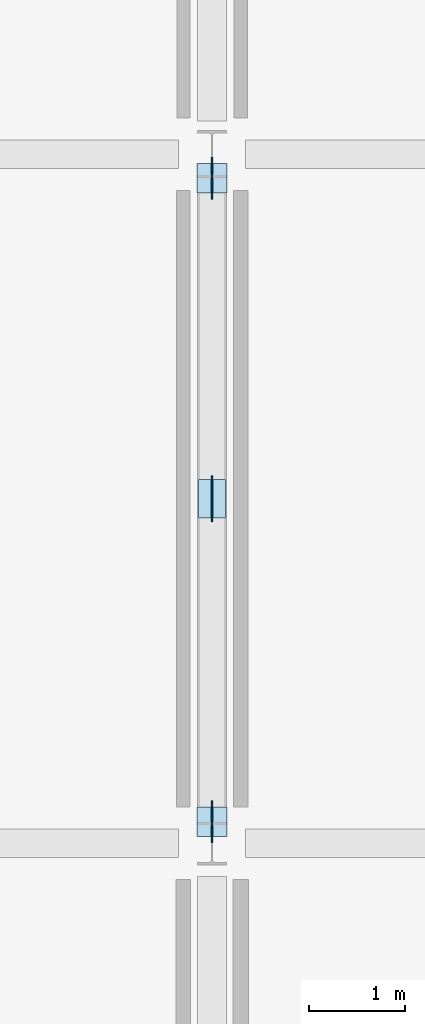
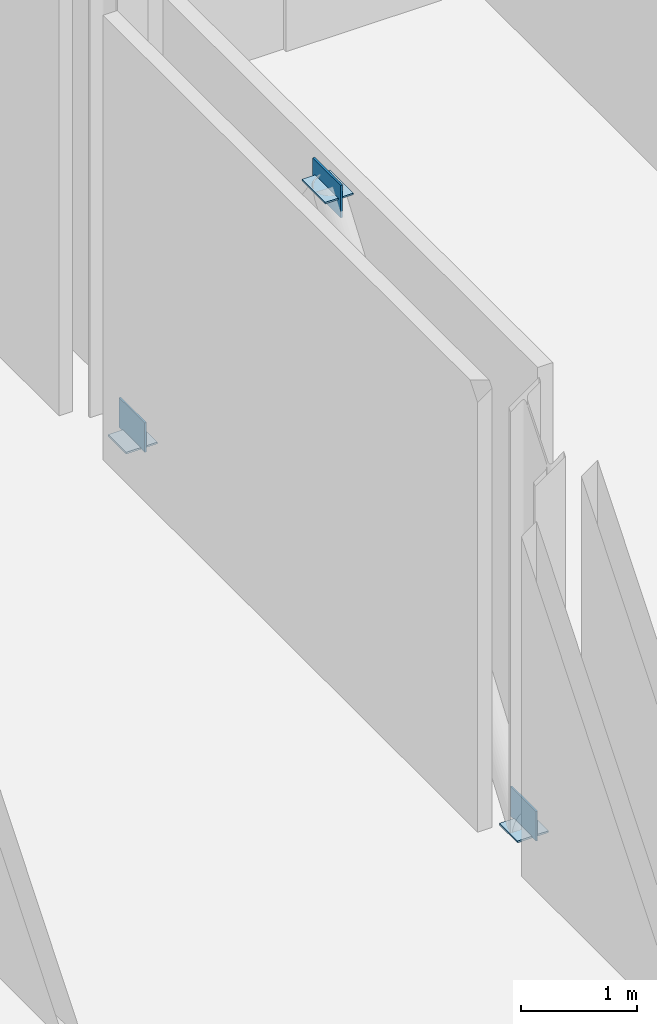
# One storey, part 56 of 89: 6 plates.
"""IFC4 building model written with IfcOpenShell, lengths in metres."""

from ifc_helpers import new_model, si_unit, direction, frame, origin, origin_2d, place, context, subcontext, project, spatial, rectangle, extrude, material, layer, layer_set, type_object, element, save


model = new_model("IFC4")

# Units and contexts
model_context = context("Model", 3, precision=1e-05, world=origin(), true_north=direction((0.0, 1.0)))
body_context = subcontext(model_context, "Body", "Model", "MODEL_VIEW")
ifc_project = project(units=[si_unit("LENGTHUNIT", "METRE"), si_unit("AREAUNIT", "SQUARE_METRE"), si_unit("VOLUMEUNIT", "CUBIC_METRE"), si_unit("PLANEANGLEUNIT", "RADIAN"), si_unit("MASSUNIT", "GRAM", prefix="KILO")], contexts=[model_context])

# Site, building, storey
site_placement = place(None, origin())
site = spatial("IfcSite", under=ifc_project, at=site_placement, CompositionType="ELEMENT")
building_placement = place(site_placement, origin())
building = spatial("IfcBuilding", under=site, at=building_placement, Name="Zarrinpeak Specialist Clinic", CompositionType="ELEMENT")
storey_placement = place(building_placement, origin())
storey = spatial("IfcBuildingStorey", under=building, at=storey_placement, Name="L00", CompositionType="ELEMENT", Elevation=0.0)

# Plates
ifc_material = material(Name="Steel S355", Category="steel")
ifc_layer_1 = layer(ifc_material, 0.01806640625)
ifc_layer_set_1 = layer_set([ifc_layer_1], Name="Steel S355")
plate_type_1 = type_object("IfcPlateType", Name="PL-CAP273", PredefinedType="SHEET", material=ifc_layer_set_1)
for number, where, z_axis, x_axis, name in (
    (1, (50.39990234375, 89.425048828125, 0.0), (0.0, 0.0, 1.0), (1.0, 0.0, 0.0), "V6 L00 Hollow Brace Foot Cap Plate A"),
    (2, (50.39990234375, 96.14990234375, 0.0), (0.0, 0.0, 1.0), (1.0, 0.0, 0.0), "V6 L00 Hollow Brace Foot Cap Plate B"),
):
    element("IfcPlate", number, at=place(storey_placement, frame(where, z_axis=z_axis, x_axis=x_axis)), inside=storey, type_object=plate_type_1, Name=name, PredefinedType="SHEET", context=body_context, shape_type="SweptSolid", body=[
        extrude(rectangle(XDim=0.31005859375, YDim=0.31005859375, at=origin_2d()), origin(), (0.0, 0.0, 1.0), 0.01806640625),
    ])
ifc_layer_2 = layer(ifc_material, 0.02001953125)
ifc_layer_set_2 = layer_set([ifc_layer_2], Name="Steel S355")
plate_type_2 = type_object("IfcPlateType", Name="PL-GN01", PredefinedType="SHEET", material=ifc_layer_set_2)
plate_1_placement = place(storey_placement, frame((50.39990234375, 92.800048828125, 4.509765625), z_axis=(0.0, 0.0, 1.0), x_axis=(1.0, 0.0, 0.0)))
element("IfcPlate", 3, at=plate_1_placement, inside=storey, type_object=plate_type_2, Name="V6 L00 Chevron Gusset Node Plate GN-V6-L00", PredefinedType="SHEET", context=body_context, shape_type="SweptSolid", body=[
    extrude(rectangle(XDim=0.02001953125, YDim=0.47998046875, at=origin_2d()), origin(), (0.0, 0.0, 1.0), 0.340087890625),
])
ifc_layer_3 = layer(ifc_material, 0.01611328125)
ifc_layer_set_3 = layer_set([ifc_layer_3], Name="Steel S355")
plate_type_3 = type_object("IfcPlateType", Name="PL-GN02", PredefinedType="SHEET", material=ifc_layer_set_3)
plate_2_placement = place(storey_placement, frame((50.39990234375, 92.800048828125, 4.677978515625), z_axis=(0.0, 0.0, 1.0), x_axis=(1.0, 0.0, 0.0)))
element("IfcPlate", 4, at=plate_2_placement, inside=storey, type_object=plate_type_3, Name="V6 L00 Chevron Apex Seal Plate GNCAP-V6-L00", PredefinedType="SHEET", context=body_context, shape_type="SweptSolid", body=[
    extrude(rectangle(XDim=0.280029296875, YDim=0.39990234375, at=origin_2d()), origin(), (0.0, 0.0, 1.0), 0.01611328125),
])
ifc_layer_4 = layer(ifc_material, 0.01806640625)
ifc_layer_set_4 = layer_set([ifc_layer_4], Name="Steel S355")
plate_type_4 = type_object("IfcPlateType", Name="PL-GN03", PredefinedType="SHEET", material=ifc_layer_set_4)
for number, where, z_axis, x_axis, name in (
    (5, (50.39990234375, 89.425048828125, 0.0048828125), (0.0, 0.0, 1.0), (1.0, 0.0, 0.0), "V6 L00 Brace Foot Gusset Plate GNF-V6-L00-A"),
    (6, (50.39990234375, 96.14990234375, 0.0048828125), (0.0, 0.0, 1.0), (1.0, 0.0, 0.0), "V6 L00 Brace Foot Gusset Plate GNF-V6-L00-B"),
):
    element("IfcPlate", number, at=place(storey_placement, frame(where, z_axis=z_axis, x_axis=x_axis)), inside=storey, type_object=plate_type_4, Name=name, PredefinedType="SHEET", context=body_context, shape_type="SweptSolid", body=[
        extrude(rectangle(XDim=0.01806640625, YDim=0.43994140625, at=origin_2d()), origin(), (0.0, 0.0, 1.0), 0.31005859375),
    ])

save(model, "model.ifc")
